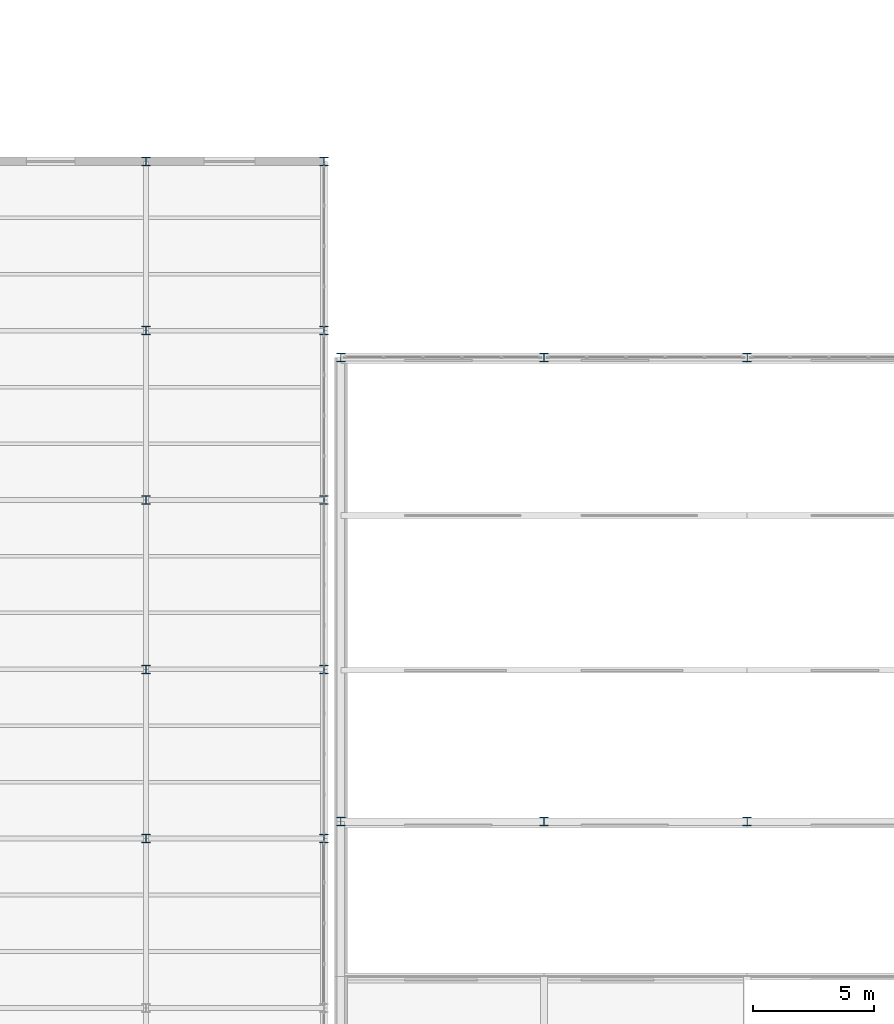
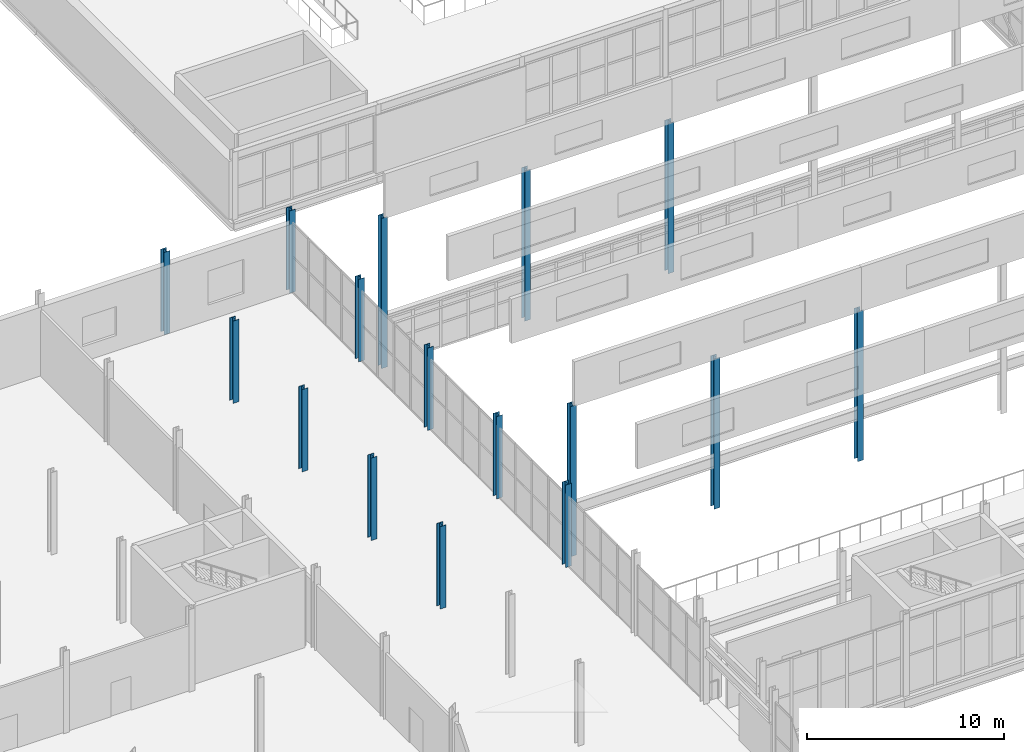
# One storey, part 4 of 218: 16 columns.
"""IFC4 building model written with IfcOpenShell, lengths in metres."""

from ifc_helpers import new_model, si_unit, direction, frame, origin, origin_2d, place, context, subcontext, project, spatial, i_section, extrude, material, material_profile, profile_set, type_object, element, save


model = new_model("IFC4")

# Units and contexts
model_context = context("Model", 3, precision=1e-05, world=origin(), true_north=direction((0.0, 1.0)))
body_context = subcontext(model_context, "Body", "Model", "MODEL_VIEW")
ifc_project = project(units=[si_unit("LENGTHUNIT", "METRE"), si_unit("AREAUNIT", "SQUARE_METRE"), si_unit("VOLUMEUNIT", "CUBIC_METRE"), si_unit("PLANEANGLEUNIT", "RADIAN"), si_unit("MASSUNIT", "GRAM", prefix="KILO")], contexts=[model_context])

# Site, building, storey
site_placement = place(None, origin())
site = spatial("IfcSite", under=ifc_project, at=site_placement, CompositionType="ELEMENT")
building_placement = place(site_placement, origin())
building = spatial("IfcBuilding", under=site, at=building_placement, Name="Kazenagashi Tramway Depot", CompositionType="ELEMENT")
storey_placement = place(building_placement, frame((0.0, 0.0, 6.0)))
storey = spatial("IfcBuildingStorey", under=building, at=storey_placement, Name="L02", CompositionType="ELEMENT", Elevation=6.0)

# Columns
ifc_material = material(Name="Steel SN490B", Category="steel")
ifc_material_profile = material_profile(ifc_material, i_section(OverallWidth=0.35, OverallDepth=0.35, WebThickness=0.012, FlangeThickness=0.019, at=origin_2d()), Name="H-350x350x12x19")
ifc_profile_set = profile_set([ifc_material_profile], Name="Steel SN490B")
column_type = type_object("IfcColumnType", Name="C-04", PredefinedType="COLUMN", material=ifc_profile_set)
for number, where, z_axis, x_axis, name in (
    (1, (44.8, 35.7, 0.0), (0.0, 0.0, 1.0), (1.0, 0.0, 0.0), "Column C-04 COL-0155"),
    (2, (44.8, 54.9, 0.0), (0.0, 0.0, 1.0), (1.0, 0.0, 0.0), "Column C-04 COL-0158"),
    (3, (53.2, 35.7, 0.0), (0.0, 0.0, 1.0), (1.0, 0.0, 0.0), "Column C-04 COL-0172"),
    (4, (53.2, 54.9, 0.0), (0.0, 0.0, 1.0), (1.0, 0.0, 0.0), "Column C-04 COL-0175"),
    (5, (61.6, 35.7, 0.0), (0.0, 0.0, 1.0), (1.0, 0.0, 0.0), "Column C-04 COL-0189"),
    (6, (61.6, 54.9, 0.0), (0.0, 0.0, 1.0), (1.0, 0.0, 0.0), "Column C-04 COL-0192"),
):
    element("IfcColumn", number, at=place(storey_placement, frame(where, z_axis=z_axis, x_axis=x_axis)), inside=storey, type_object=column_type, Name=name, PredefinedType="COLUMN", context=body_context, shape_type="SweptSolid", body=[
        extrude(i_section(OverallWidth=0.35, OverallDepth=0.35, WebThickness=0.012, FlangeThickness=0.019, at=origin_2d()), origin(), (0.0, 0.0, 1.0), 9.3),
    ])
for number, where, z_axis, x_axis, name in (
    (7, (36.75, 35.0, 0.0), (0.0, 0.0, 1.0), (1.0, 0.0, 0.0), "Column C-04 COL-0769"),
    (8, (36.75, 42.0, 0.0), (0.0, 0.0, 1.0), (1.0, 0.0, 0.0), "Column C-04 COL-0773"),
    (9, (36.75, 49.0, 0.0), (0.0, 0.0, 1.0), (1.0, 0.0, 0.0), "Column C-04 COL-0777"),
    (10, (36.75, 56.0, 0.0), (0.0, 0.0, 1.0), (1.0, 0.0, 0.0), "Column C-04 COL-0781"),
    (11, (36.75, 63.0, 0.0), (0.0, 0.0, 1.0), (1.0, 0.0, 0.0), "Column C-04 COL-0784"),
    (12, (44.1, 35.0, 0.0), (0.0, 0.0, 1.0), (1.0, 0.0, 0.0), "Column C-04 COL-0797"),
    (13, (44.1, 42.0, 0.0), (0.0, 0.0, 1.0), (1.0, 0.0, 0.0), "Column C-04 COL-0799"),
    (14, (44.1, 49.0, 0.0), (0.0, 0.0, 1.0), (1.0, 0.0, 0.0), "Column C-04 COL-0801"),
    (15, (44.1, 56.0, 0.0), (0.0, 0.0, 1.0), (1.0, 0.0, 0.0), "Column C-04 COL-0803"),
    (16, (44.1, 63.0, 0.0), (0.0, 0.0, 1.0), (1.0, 0.0, 0.0), "Column C-04 COL-0805"),
):
    element("IfcColumn", number, at=place(storey_placement, frame(where, z_axis=z_axis, x_axis=x_axis)), inside=storey, type_object=column_type, Name=name, PredefinedType="COLUMN", context=body_context, shape_type="SweptSolid", body=[
        extrude(i_section(OverallWidth=0.35, OverallDepth=0.35, WebThickness=0.012, FlangeThickness=0.019, at=origin_2d()), origin(), (0.0, 0.0, 1.0), 5.1),
    ])

save(model, "model.ifc")
